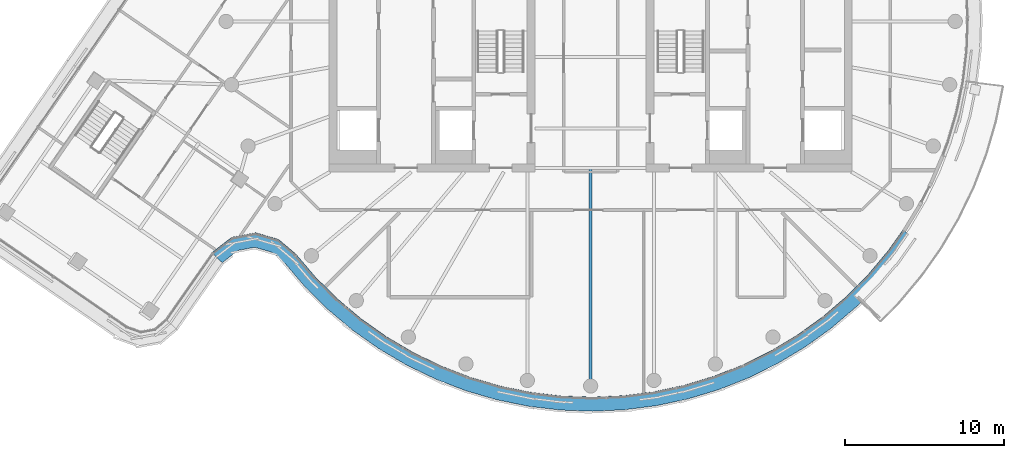
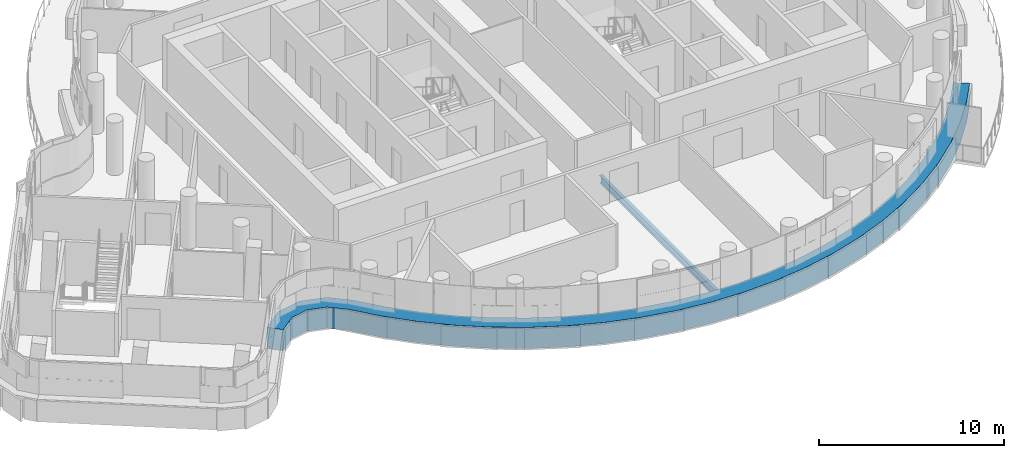
# One storey, part 6 of 26: 1 beam, 1 member, 1 element without a shape of its own.
"""IFC4 building model written with IfcOpenShell, lengths in metres."""

from ifc_helpers import new_model, si_unit, direction, frame, origin, origin_2d, place, context, subcontext, project, spatial, polyline, i_section, outline, extrude, material, layer, layer_set, material_profile, profile_set, type_object, element, aggregate, save


model = new_model("IFC4")

# Units and contexts
model_context = context("Model", 3, precision=1e-05, world=origin(), true_north=direction((0.0, 1.0)))
body_context = subcontext(model_context, "Body", "Model", "MODEL_VIEW")
ifc_project = project(units=[si_unit("LENGTHUNIT", "METRE"), si_unit("AREAUNIT", "SQUARE_METRE"), si_unit("VOLUMEUNIT", "CUBIC_METRE"), si_unit("PLANEANGLEUNIT", "RADIAN"), si_unit("MASSUNIT", "GRAM", prefix="KILO")], contexts=[model_context])

# Site, building, storey
site_placement = place(None, origin())
site = spatial("IfcSite", under=ifc_project, at=site_placement, CompositionType="ELEMENT")
building_placement = place(site_placement, origin())
building = spatial("IfcBuilding", under=site, at=building_placement, Name="Tamarind Cross Interchange Tower", CompositionType="ELEMENT")
storey_placement = place(building_placement, frame((0.0, 0.0, 234.300048828125)))
storey = spatial("IfcBuildingStorey", under=building, at=storey_placement, Name="L59", CompositionType="ELEMENT", Elevation=234.300048828125)

# Beam
ifc_material_1 = material(Name="Steel Q355B", Category="steel")
ifc_material_profile = material_profile(ifc_material_1, i_section(OverallWidth=0.198974609375, OverallDepth=0.49609375, WebThickness=0.009033203125, FlangeThickness=0.013916015625, FilletRadius=0.012939453125, at=origin_2d()), Name="HN 496x199x9x14")
ifc_profile_set = profile_set([ifc_material_profile], Name="Steel Q355B")
beam_type = type_object("IfcBeamType", Name="Composite beam HN 496x199x9x14 Q355B", PredefinedType="BEAM", material=ifc_profile_set)
beam_placement = place(storey_placement, frame((0.0, -23.0, -0.387939453125), z_axis=(0.0, 1.0, 0.0), x_axis=(-1.0, 0.0, 0.0)))
element("IfcBeam", 1, at=beam_placement, inside=storey, type_object=beam_type, Name="Beam HH27", PredefinedType="BEAM", context=body_context, shape_type="SweptSolid", body=[
    extrude(i_section(OverallWidth=0.198974609375, OverallDepth=0.49609375, WebThickness=0.009033203125, FlangeThickness=0.013916015625, FilletRadius=0.012939453125, at=origin_2d()), origin(), (0.0, 0.0, 1.0), 13.75),
])

# Curtain wall, member
ifc_material_2 = material(Name="Aluminium 6063-T6", Category="aluminium")
ifc_layer = layer(ifc_material_2, 0.139892578125)
ifc_layer_set = layer_set([ifc_layer], Name="Aluminium 6063-T6")
curtain_wall_type = type_object("IfcCurtainWallType", Name="Hotel curtain wall, 4.5 m bays", PredefinedType="NOTDEFINED", material=ifc_layer_set)
curtain_wall_placement = place(storey_placement, origin())
curtain_wall = element("IfcCurtainWall", 2, at=curtain_wall_placement, inside=storey, type_object=curtain_wall_type, Name="CWS-L59-02", PredefinedType="NOTDEFINED")
ifc_material_3 = material(Name="Aluminium and insulated spandrel panel", Category="aluminium")
member_type = type_object("IfcMemberType", Name="Floor-edge blade transom", PredefinedType="USERDEFINED", material=ifc_material_3)
member_placement = place(storey_placement, origin())
member = element("IfcMember", 3, at=member_placement, type_object=member_type, Name="CWT-L59-02-0", ObjectType="TRANSOM", PredefinedType="USERDEFINED", context=body_context, shape_type="SweptSolid", body=[
    extrude(outline(polyline([(-23.90234375, -14.5947265625), (-22.632080078125, -13.60791015625), (-21.140869140625, -13.328125), (-19.693115234375, -13.750244140625), (-18.613525390625, -14.661865234375), (-17.3642578125, -16.12353515625), (-15.973388671875, -17.50244140625), (-14.4736328125, -18.76171875), (-12.874755859375, -19.892822265625), (-11.188232421875, -20.88818359375), (-9.425048828125, -21.74072265625), (-7.597412109375, -22.444580078125), (-5.718017578125, -22.995361328125), (-3.799560546875, -23.38916015625), (-1.855224609375, -23.623046875), (0.10205078125, -23.695556640625), (2.058349609375, -23.606201171875), (4.000732421875, -23.35546875), (5.915771484375, -22.9453125), (7.790283203125, -22.37841796875), (9.61181640625, -21.65869140625), (11.367431640625, -20.791015625), (13.045654296875, -19.78125), (14.634521484375, -18.636474609375), (16.12353515625, -17.3642578125), (17.50244140625, -15.973388671875), (18.76171875, -14.4736328125), (19.68896484375, -13.162841796875), (20.4375, -13.663330078125), (19.474853515625, -15.023681640625), (18.167724609375, -16.580810546875), (16.736572265625, -18.0244140625), (15.19091796875, -19.344970703125), (13.54150390625, -20.533203125), (11.799560546875, -21.581298828125), (9.97705078125, -22.482177734375), (8.08642578125, -23.229248046875), (6.140625, -23.817626953125), (4.15283203125, -24.243408203125), (2.13671875, -24.50341796875), (0.10595703125, -24.59619140625), (-1.925537109375, -24.52099609375), (-3.944091796875, -24.2783203125), (-5.935302734375, -23.86962890625), (-7.88623046875, -23.2978515625), (-9.783203125, -22.567138671875), (-11.613525390625, -21.68212890625), (-13.3642578125, -20.64892578125), (-15.023681640625, -19.474853515625), (-16.580810546875, -18.167724609375), (-18.0244140625, -16.736572265625), (-19.250244140625, -15.30224609375), (-20.128173828125, -14.560791015625), (-21.186279296875, -14.25244140625), (-22.251953125, -14.4521484375), (-23.24267578125, -15.221923828125), (-23.90234375, -14.5947265625)])), origin(), (0.0, 0.0, 1.0), 1.39990234375),
])
aggregate(curtain_wall, [member])

save(model, "model.ifc")
